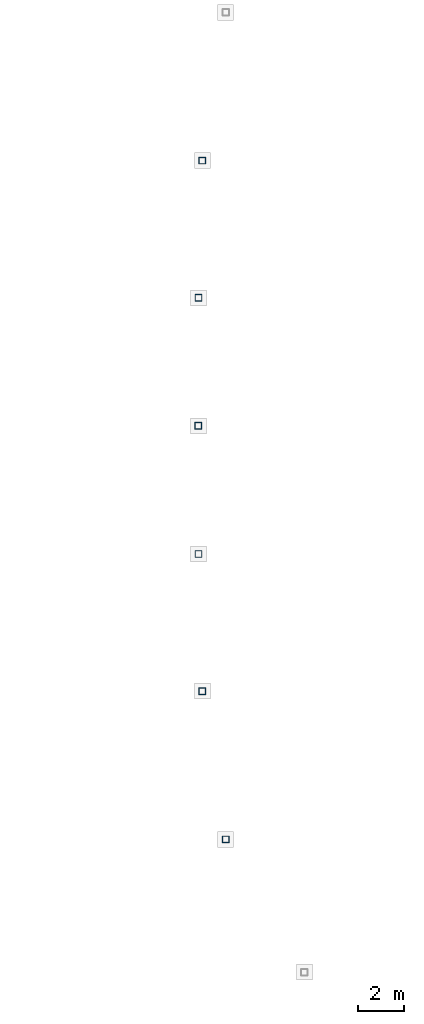
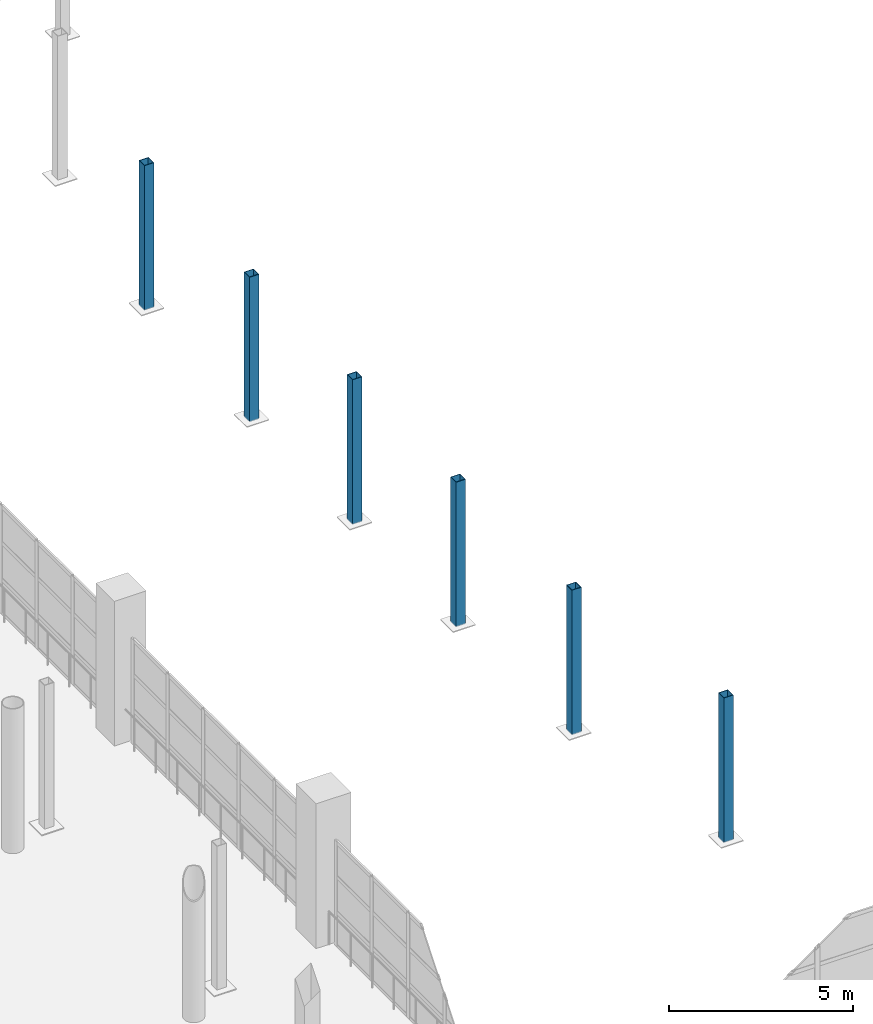
# One storey, part 7 of 143: 6 columns.
"""IFC4 building model written with IfcOpenShell, lengths in metres."""

from ifc_helpers import new_model, si_unit, direction, frame, origin, origin_2d, place, context, subcontext, project, spatial, hollow_rectangle, extrude, material, material_profile, profile_set, type_object, element, save


model = new_model("IFC4")

# Units and contexts
model_context = context("Model", 3, precision=1e-05, world=origin(), true_north=direction((0.0, 1.0)))
body_context = subcontext(model_context, "Body", "Model", "MODEL_VIEW")
ifc_project = project(units=[si_unit("LENGTHUNIT", "METRE"), si_unit("AREAUNIT", "SQUARE_METRE"), si_unit("VOLUMEUNIT", "CUBIC_METRE"), si_unit("PLANEANGLEUNIT", "RADIAN"), si_unit("MASSUNIT", "GRAM", prefix="KILO")], contexts=[model_context])

# Site, building, storey
site_placement = place(None, origin())
site = spatial("IfcSite", under=ifc_project, at=site_placement, CompositionType="ELEMENT")
building_placement = place(site_placement, origin())
building = spatial("IfcBuilding", under=site, at=building_placement, Name="Luwafu Chhajja Arena", CompositionType="ELEMENT")
storey_placement = place(building_placement, frame((0.0, 0.0, 5.39990234375)))
storey = spatial("IfcBuildingStorey", under=building, at=storey_placement, Name="L01", CompositionType="ELEMENT", Elevation=5.39990234375)

# Columns
ifc_material = material(Name="Steel S355", Category="steel")
ifc_material_profile = material_profile(ifc_material, hollow_rectangle(XDim=0.300048828125, YDim=0.300048828125, WallThickness=0.01611328125, at=origin_2d()), Name="SHS 300x300x16")
ifc_profile_set = profile_set([ifc_material_profile], Name="Steel S355")
column_type = type_object("IfcColumnType", Name="Steel Gallery Post SHS 300", PredefinedType="COLUMN", material=ifc_profile_set)
for number, where, z_axis, x_axis, name in (
    (1, (68.676513671875, 61.11328125, 0.0), (0.0, 0.0, 1.0), (1.0, 0.0, 0.0), "L01 Upper Bowl Raker Column UI15"),
    (2, (68.50830078125, 55.10791015625, 0.0), (0.0, 0.0, 1.0), (1.0, 0.0, 0.0), "L01 Upper Bowl Raker Column UI16"),
    (3, (68.5, 49.5, 0.0), (0.0, 0.0, 1.0), (1.0, 0.0, 0.0), "L01 Upper Bowl Raker Column UI17"),
    (4, (68.50830078125, 43.89208984375, 0.0), (0.0, 0.0, 1.0), (1.0, 0.0, 0.0), "L01 Upper Bowl Raker Column UI18"),
    (5, (68.676513671875, 37.88671875, 0.0), (0.0, 0.0, 1.0), (1.0, 0.0, 0.0), "L01 Upper Bowl Raker Column UI19"),
    (6, (69.701416015625, 31.399658203125, 0.0), (0.0, 0.0, 1.0), (1.0, 0.0, 0.0), "L01 Upper Bowl Raker Column UI20"),
):
    element("IfcColumn", number, at=place(storey_placement, frame(where, z_axis=z_axis, x_axis=x_axis)), inside=storey, type_object=column_type, Name=name, PredefinedType="COLUMN", context=body_context, shape_type="SweptSolid", body=[
        extrude(hollow_rectangle(XDim=0.300048828125, YDim=0.300048828125, WallThickness=0.01611328125, at=origin_2d()), origin(), (0.0, 0.0, 1.0), 4.800048828125),
    ])

save(model, "model.ifc")
